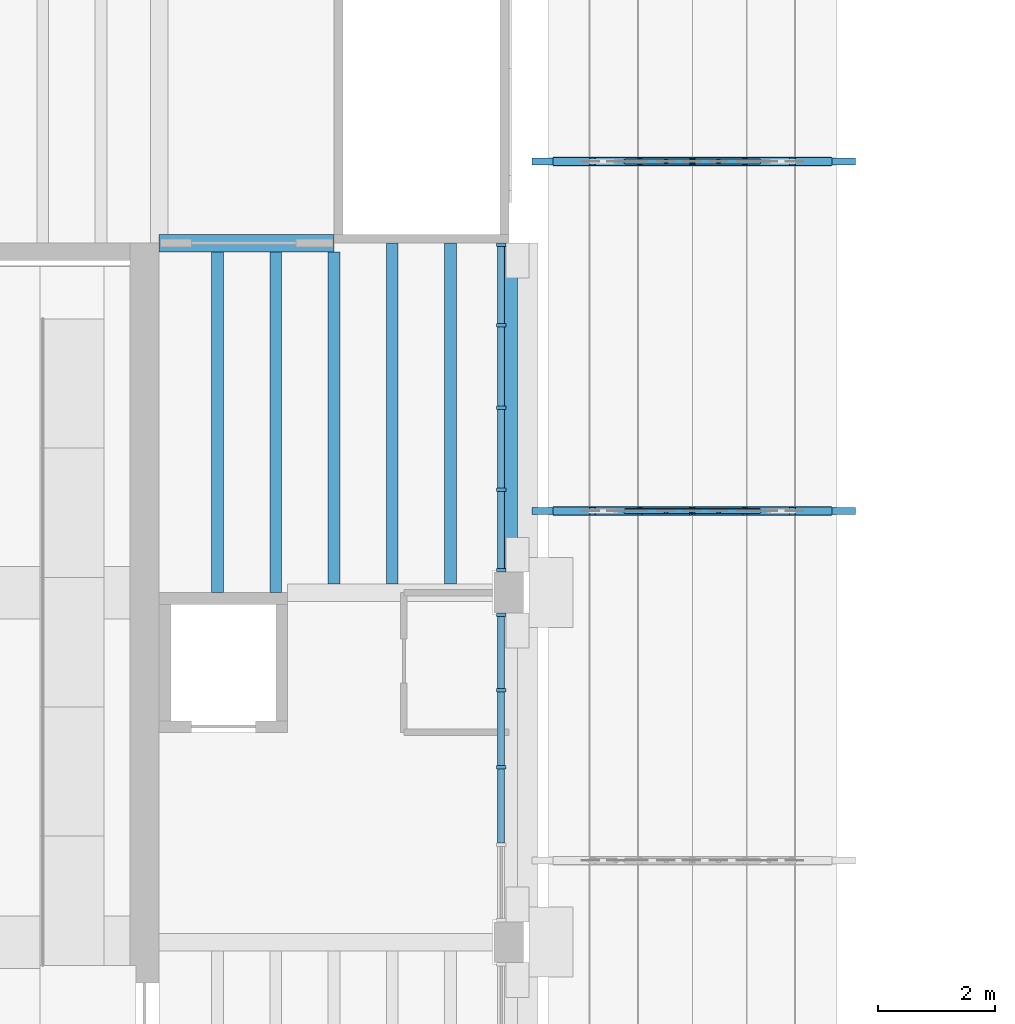
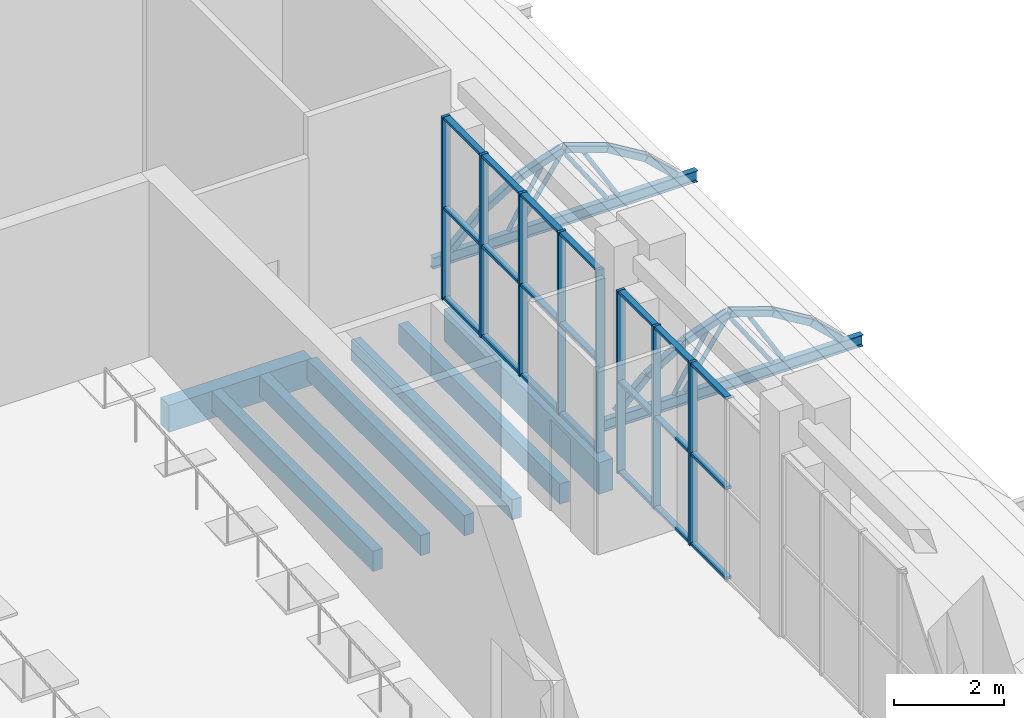
# One storey, part 23 of 80: 37 members, 21 beams, 2 elements without a shape of their own.
"""IFC4 building model written with IfcOpenShell, lengths in metres."""

from ifc_helpers import new_model, si_unit, direction, frame, origin, origin_2d, place, context, subcontext, project, spatial, rectangle, hollow_rectangle, hollow_circle, i_section, extrude, material, material_profile, profile_set, type_object, element, aggregate, save


model = new_model("IFC4")

# Units and contexts
model_context = context("Model", 3, precision=1e-05, world=origin(), true_north=direction((0.0, 1.0)))
body_context = subcontext(model_context, "Body", "Model", "MODEL_VIEW")
ifc_project = project(units=[si_unit("LENGTHUNIT", "METRE"), si_unit("AREAUNIT", "SQUARE_METRE"), si_unit("VOLUMEUNIT", "CUBIC_METRE"), si_unit("PLANEANGLEUNIT", "RADIAN"), si_unit("MASSUNIT", "GRAM", prefix="KILO")], contexts=[model_context])

# Site, building, storey
site_placement = place(None, origin())
site = spatial("IfcSite", under=ifc_project, at=site_placement, CompositionType="ELEMENT")
building_placement = place(site_placement, origin())
building = spatial("IfcBuilding", under=site, at=building_placement, Name="Saffron Lane Theatres", CompositionType="ELEMENT")
storey_placement = place(building_placement, frame((0.0, 0.0, 7.0)))
storey = spatial("IfcBuildingStorey", under=building, at=storey_placement, Name="L01", CompositionType="ELEMENT", Elevation=7.0)

# Curtain wall, members
ifc_material_1 = material(Name="Aluminium", Category="aluminium")
curtain_wall_type_1 = type_object("IfcCurtainWallType", Name="EX-CURTAIN WALL 5650x4050x160", PredefinedType="NOTDEFINED", material=ifc_material_1)
curtain_wall_1_placement = place(storey_placement, origin())
curtain_wall_1 = element("IfcCurtainWall", 1, at=curtain_wall_1_placement, inside=storey, type_object=curtain_wall_type_1, Name="Curtain wall L01 10", PredefinedType="NOTDEFINED")
ifc_material_2 = material(Name="Aluminium", Category="aluminium")
ifc_material_profile_1 = material_profile(ifc_material_2, rectangle(XDim=0.06005859375, YDim=0.159912109375, at=origin_2d()))
ifc_profile_set_1 = profile_set([ifc_material_profile_1], Name="Aluminium")
member_type_1 = type_object("IfcMemberType", Name="EX-CW MULLION 60x160", PredefinedType="MULLION", material=ifc_profile_set_1)
member_1_placement = place(storey_placement, frame((53.8701171875, 89.969970703125, 0.0), z_axis=(0.0, 0.0, 1.0), x_axis=(0.0, -1.0, 0.0)))
member_1 = element("IfcMember", 2, at=member_1_placement, type_object=member_type_1, Name="CW-01-10 mullion 1", PredefinedType="MULLION", context=body_context, shape_type="SweptSolid", body=[
    extrude(rectangle(XDim=0.06005859375, YDim=0.159912109375, at=origin_2d()), origin(), (0.0, 0.0, 1.0), 4.050048828125),
])
member_2_placement = place(storey_placement, frame((53.8701171875, 88.58740234375, 0.0), z_axis=(0.0, 0.0, 1.0), x_axis=(0.0, -1.0, 0.0)))
member_2 = element("IfcMember", 3, at=member_2_placement, type_object=member_type_1, Name="CW-01-10 mullion 2", PredefinedType="MULLION", context=body_context, shape_type="SweptSolid", body=[
    extrude(rectangle(XDim=0.06005859375, YDim=0.159912109375, at=origin_2d()), origin(), (0.0, 0.0, 1.0), 4.050048828125),
])
member_3_placement = place(storey_placement, frame((53.8701171875, 87.175048828125, 0.0), z_axis=(0.0, 0.0, 1.0), x_axis=(0.0, -1.0, 0.0)))
member_3 = element("IfcMember", 4, at=member_3_placement, type_object=member_type_1, Name="CW-01-10 mullion 3", PredefinedType="MULLION", context=body_context, shape_type="SweptSolid", body=[
    extrude(rectangle(XDim=0.06005859375, YDim=0.159912109375, at=origin_2d()), origin(), (0.0, 0.0, 1.0), 4.050048828125),
])
member_4_placement = place(storey_placement, frame((53.8701171875, 85.762451171875, 0.0), z_axis=(0.0, 0.0, 1.0), x_axis=(0.0, -1.0, 0.0)))
member_4 = element("IfcMember", 5, at=member_4_placement, type_object=member_type_1, Name="CW-01-10 mullion 4", PredefinedType="MULLION", context=body_context, shape_type="SweptSolid", body=[
    extrude(rectangle(XDim=0.06005859375, YDim=0.159912109375, at=origin_2d()), origin(), (0.0, 0.0, 1.0), 4.050048828125),
])
member_5_placement = place(storey_placement, frame((53.8701171875, 84.380126953125, 0.0), z_axis=(0.0, 0.0, 1.0), x_axis=(0.0, -1.0, 0.0)))
member_5 = element("IfcMember", 6, at=member_5_placement, type_object=member_type_1, Name="CW-01-10 mullion 5", PredefinedType="MULLION", context=body_context, shape_type="SweptSolid", body=[
    extrude(rectangle(XDim=0.06005859375, YDim=0.159912109375, at=origin_2d()), origin(), (0.0, 0.0, 1.0), 4.050048828125),
])

ifc_material_3 = material(Name="Aluminium", Category="aluminium")
curtain_wall_type_2 = type_object("IfcCurtainWallType", Name="EX-CURTAIN WALL 5300x4050x160", PredefinedType="NOTDEFINED", material=ifc_material_3)
curtain_wall_2_placement = place(storey_placement, origin())
curtain_wall_2 = element("IfcCurtainWall", 7, at=curtain_wall_2_placement, inside=storey, type_object=curtain_wall_type_2, Name="Curtain wall L01 11", PredefinedType="NOTDEFINED")
member_6_placement = place(storey_placement, frame((53.8701171875, 83.619873046875, 0.0), z_axis=(0.0, 0.0, 1.0), x_axis=(0.0, -1.0, 0.0)))
member_6 = element("IfcMember", 8, at=member_6_placement, type_object=member_type_1, Name="CW-01-11 mullion 1", PredefinedType="MULLION", context=body_context, shape_type="SweptSolid", body=[
    extrude(rectangle(XDim=0.06005859375, YDim=0.159912109375, at=origin_2d()), origin(), (0.0, 0.0, 1.0), 4.050048828125),
])
member_7_placement = place(storey_placement, frame((53.8701171875, 82.324951171875, 0.0), z_axis=(0.0, 0.0, 1.0), x_axis=(0.0, -1.0, 0.0)))
member_7 = element("IfcMember", 9, at=member_7_placement, type_object=member_type_1, Name="CW-01-11 mullion 2", PredefinedType="MULLION", context=body_context, shape_type="SweptSolid", body=[
    extrude(rectangle(XDim=0.06005859375, YDim=0.159912109375, at=origin_2d()), origin(), (0.0, 0.0, 1.0), 4.050048828125),
])
member_8_placement = place(storey_placement, frame((53.8701171875, 81.0, 0.0), z_axis=(0.0, 0.0, 1.0), x_axis=(0.0, -1.0, 0.0)))
member_8 = element("IfcMember", 10, at=member_8_placement, type_object=member_type_1, Name="CW-01-11 mullion 3", PredefinedType="MULLION", context=body_context, shape_type="SweptSolid", body=[
    extrude(rectangle(XDim=0.06005859375, YDim=0.159912109375, at=origin_2d()), origin(), (0.0, 0.0, 1.0), 4.050048828125),
])

# Member
ifc_material_4 = material(Name="Aluminium", Category="aluminium")
ifc_material_profile_2 = material_profile(ifc_material_4, rectangle(XDim=0.1201171875, YDim=0.06005859375, at=origin_2d()))
ifc_profile_set_2 = profile_set([ifc_material_profile_2], Name="Aluminium")
member_type_2 = type_object("IfcMemberType", Name="EX-CW TRANSOM 120x60", PredefinedType="USERDEFINED", material=ifc_profile_set_2)
member_9_placement = place(storey_placement, frame((53.8701171875, 89.93994140625, 0.030029296875), z_axis=(0.0, -1.0, 0.0), x_axis=(1.0, 0.0, 0.0)))
member_9 = element("IfcMember", 11, at=member_9_placement, type_object=member_type_2, Name="CW-01-10 transom 1.1", ObjectType="TRANSOM", PredefinedType="USERDEFINED", context=body_context, shape_type="SweptSolid", body=[
    extrude(rectangle(XDim=0.1201171875, YDim=0.06005859375, at=origin_2d()), origin(), (0.0, 0.0, 1.0), 1.322509765625),
])

member_10_placement = place(storey_placement, frame((53.8701171875, 89.93994140625, 2.02490234375), z_axis=(0.0, -1.0, 0.0), x_axis=(1.0, 0.0, 0.0)))
member_10 = element("IfcMember", 12, at=member_10_placement, type_object=member_type_2, Name="CW-01-10 transom 1.2", ObjectType="TRANSOM", PredefinedType="USERDEFINED", context=body_context, shape_type="SweptSolid", body=[
    extrude(rectangle(XDim=0.1201171875, YDim=0.06005859375, at=origin_2d()), origin(), (0.0, 0.0, 1.0), 1.322509765625),
])

member_11_placement = place(storey_placement, frame((53.8701171875, 89.93994140625, 4.02001953125), z_axis=(0.0, -1.0, 0.0), x_axis=(1.0, 0.0, 0.0)))
member_11 = element("IfcMember", 13, at=member_11_placement, type_object=member_type_2, Name="CW-01-10 transom 1.3", ObjectType="TRANSOM", PredefinedType="USERDEFINED", context=body_context, shape_type="SweptSolid", body=[
    extrude(rectangle(XDim=0.1201171875, YDim=0.06005859375, at=origin_2d()), origin(), (0.0, 0.0, 1.0), 1.322509765625),
])

member_12_placement = place(storey_placement, frame((53.8701171875, 88.5576171875, 0.030029296875), z_axis=(0.0, -1.0, 0.0), x_axis=(1.0, 0.0, 0.0)))
member_12 = element("IfcMember", 14, at=member_12_placement, type_object=member_type_2, Name="CW-01-10 transom 2.1", ObjectType="TRANSOM", PredefinedType="USERDEFINED", context=body_context, shape_type="SweptSolid", body=[
    extrude(rectangle(XDim=0.1201171875, YDim=0.06005859375, at=origin_2d()), origin(), (0.0, 0.0, 1.0), 1.3525390625),
])

member_13_placement = place(storey_placement, frame((53.8701171875, 88.5576171875, 2.02490234375), z_axis=(0.0, -1.0, 0.0), x_axis=(1.0, 0.0, 0.0)))
member_13 = element("IfcMember", 15, at=member_13_placement, type_object=member_type_2, Name="CW-01-10 transom 2.2", ObjectType="TRANSOM", PredefinedType="USERDEFINED", context=body_context, shape_type="SweptSolid", body=[
    extrude(rectangle(XDim=0.1201171875, YDim=0.06005859375, at=origin_2d()), origin(), (0.0, 0.0, 1.0), 1.3525390625),
])

member_14_placement = place(storey_placement, frame((53.8701171875, 88.5576171875, 4.02001953125), z_axis=(0.0, -1.0, 0.0), x_axis=(1.0, 0.0, 0.0)))
member_14 = element("IfcMember", 16, at=member_14_placement, type_object=member_type_2, Name="CW-01-10 transom 2.3", ObjectType="TRANSOM", PredefinedType="USERDEFINED", context=body_context, shape_type="SweptSolid", body=[
    extrude(rectangle(XDim=0.1201171875, YDim=0.06005859375, at=origin_2d()), origin(), (0.0, 0.0, 1.0), 1.3525390625),
])

member_15_placement = place(storey_placement, frame((53.8701171875, 87.14501953125, 0.030029296875), z_axis=(0.0, -1.0, 0.0), x_axis=(1.0, 0.0, 0.0)))
member_15 = element("IfcMember", 17, at=member_15_placement, type_object=member_type_2, Name="CW-01-10 transom 3.1", ObjectType="TRANSOM", PredefinedType="USERDEFINED", context=body_context, shape_type="SweptSolid", body=[
    extrude(rectangle(XDim=0.1201171875, YDim=0.06005859375, at=origin_2d()), origin(), (0.0, 0.0, 1.0), 1.3525390625),
])

member_16_placement = place(storey_placement, frame((53.8701171875, 87.14501953125, 2.02490234375), z_axis=(0.0, -1.0, 0.0), x_axis=(1.0, 0.0, 0.0)))
member_16 = element("IfcMember", 18, at=member_16_placement, type_object=member_type_2, Name="CW-01-10 transom 3.2", ObjectType="TRANSOM", PredefinedType="USERDEFINED", context=body_context, shape_type="SweptSolid", body=[
    extrude(rectangle(XDim=0.1201171875, YDim=0.06005859375, at=origin_2d()), origin(), (0.0, 0.0, 1.0), 1.3525390625),
])

member_17_placement = place(storey_placement, frame((53.8701171875, 87.14501953125, 4.02001953125), z_axis=(0.0, -1.0, 0.0), x_axis=(1.0, 0.0, 0.0)))
member_17 = element("IfcMember", 19, at=member_17_placement, type_object=member_type_2, Name="CW-01-10 transom 3.3", ObjectType="TRANSOM", PredefinedType="USERDEFINED", context=body_context, shape_type="SweptSolid", body=[
    extrude(rectangle(XDim=0.1201171875, YDim=0.06005859375, at=origin_2d()), origin(), (0.0, 0.0, 1.0), 1.3525390625),
])

member_18_placement = place(storey_placement, frame((53.8701171875, 85.732666015625, 0.030029296875), z_axis=(0.0, -1.0, 0.0), x_axis=(1.0, 0.0, 0.0)))
member_18 = element("IfcMember", 20, at=member_18_placement, type_object=member_type_2, Name="CW-01-10 transom 4.1", ObjectType="TRANSOM", PredefinedType="USERDEFINED", context=body_context, shape_type="SweptSolid", body=[
    extrude(rectangle(XDim=0.1201171875, YDim=0.06005859375, at=origin_2d()), origin(), (0.0, 0.0, 1.0), 1.322509765625),
])

member_19_placement = place(storey_placement, frame((53.8701171875, 85.732666015625, 2.02490234375), z_axis=(0.0, -1.0, 0.0), x_axis=(1.0, 0.0, 0.0)))
member_19 = element("IfcMember", 21, at=member_19_placement, type_object=member_type_2, Name="CW-01-10 transom 4.2", ObjectType="TRANSOM", PredefinedType="USERDEFINED", context=body_context, shape_type="SweptSolid", body=[
    extrude(rectangle(XDim=0.1201171875, YDim=0.06005859375, at=origin_2d()), origin(), (0.0, 0.0, 1.0), 1.322509765625),
])

member_20_placement = place(storey_placement, frame((53.8701171875, 85.732666015625, 4.02001953125), z_axis=(0.0, -1.0, 0.0), x_axis=(1.0, 0.0, 0.0)))
member_20 = element("IfcMember", 22, at=member_20_placement, type_object=member_type_2, Name="CW-01-10 transom 4.3", ObjectType="TRANSOM", PredefinedType="USERDEFINED", context=body_context, shape_type="SweptSolid", body=[
    extrude(rectangle(XDim=0.1201171875, YDim=0.06005859375, at=origin_2d()), origin(), (0.0, 0.0, 1.0), 1.322509765625),
])

aggregate(curtain_wall_1, [member_1, member_2, member_3, member_4, member_5, member_9, member_10, member_11, member_12, member_13, member_14, member_15, member_16, member_17, member_18, member_19, member_20])

member_21_placement = place(storey_placement, frame((53.8701171875, 83.58984375, 0.030029296875), z_axis=(0.0, -1.0, 0.0), x_axis=(1.0, 0.0, 0.0)))
member_21 = element("IfcMember", 23, at=member_21_placement, type_object=member_type_2, Name="CW-01-11 transom 1.1", ObjectType="TRANSOM", PredefinedType="USERDEFINED", context=body_context, shape_type="SweptSolid", body=[
    extrude(rectangle(XDim=0.1201171875, YDim=0.06005859375, at=origin_2d()), origin(), (0.0, 0.0, 1.0), 1.23486328125),
])

member_22_placement = place(storey_placement, frame((53.8701171875, 83.58984375, 2.02490234375), z_axis=(0.0, -1.0, 0.0), x_axis=(1.0, 0.0, 0.0)))
member_22 = element("IfcMember", 24, at=member_22_placement, type_object=member_type_2, Name="CW-01-11 transom 1.2", ObjectType="TRANSOM", PredefinedType="USERDEFINED", context=body_context, shape_type="SweptSolid", body=[
    extrude(rectangle(XDim=0.1201171875, YDim=0.06005859375, at=origin_2d()), origin(), (0.0, 0.0, 1.0), 1.23486328125),
])

member_23_placement = place(storey_placement, frame((53.8701171875, 83.58984375, 4.02001953125), z_axis=(0.0, -1.0, 0.0), x_axis=(1.0, 0.0, 0.0)))
member_23 = element("IfcMember", 25, at=member_23_placement, type_object=member_type_2, Name="CW-01-11 transom 1.3", ObjectType="TRANSOM", PredefinedType="USERDEFINED", context=body_context, shape_type="SweptSolid", body=[
    extrude(rectangle(XDim=0.1201171875, YDim=0.06005859375, at=origin_2d()), origin(), (0.0, 0.0, 1.0), 1.23486328125),
])

member_24_placement = place(storey_placement, frame((53.8701171875, 82.294921875, 0.030029296875), z_axis=(0.0, -1.0, 0.0), x_axis=(1.0, 0.0, 0.0)))
member_24 = element("IfcMember", 26, at=member_24_placement, type_object=member_type_2, Name="CW-01-11 transom 2.1", ObjectType="TRANSOM", PredefinedType="USERDEFINED", context=body_context, shape_type="SweptSolid", body=[
    extrude(rectangle(XDim=0.1201171875, YDim=0.06005859375, at=origin_2d()), origin(), (0.0, 0.0, 1.0), 1.264892578125),
])

member_25_placement = place(storey_placement, frame((53.8701171875, 82.294921875, 2.02490234375), z_axis=(0.0, -1.0, 0.0), x_axis=(1.0, 0.0, 0.0)))
member_25 = element("IfcMember", 27, at=member_25_placement, type_object=member_type_2, Name="CW-01-11 transom 2.2", ObjectType="TRANSOM", PredefinedType="USERDEFINED", context=body_context, shape_type="SweptSolid", body=[
    extrude(rectangle(XDim=0.1201171875, YDim=0.06005859375, at=origin_2d()), origin(), (0.0, 0.0, 1.0), 1.264892578125),
])

member_26_placement = place(storey_placement, frame((53.8701171875, 82.294921875, 4.02001953125), z_axis=(0.0, -1.0, 0.0), x_axis=(1.0, 0.0, 0.0)))
member_26 = element("IfcMember", 28, at=member_26_placement, type_object=member_type_2, Name="CW-01-11 transom 2.3", ObjectType="TRANSOM", PredefinedType="USERDEFINED", context=body_context, shape_type="SweptSolid", body=[
    extrude(rectangle(XDim=0.1201171875, YDim=0.06005859375, at=origin_2d()), origin(), (0.0, 0.0, 1.0), 1.264892578125),
])

member_27_placement = place(storey_placement, frame((53.8701171875, 80.969970703125, 0.030029296875), z_axis=(0.0, -1.0, 0.0), x_axis=(1.0, 0.0, 0.0)))
member_27 = element("IfcMember", 29, at=member_27_placement, type_object=member_type_2, Name="CW-01-11 transom 3.1", ObjectType="TRANSOM", PredefinedType="USERDEFINED", context=body_context, shape_type="SweptSolid", body=[
    extrude(rectangle(XDim=0.1201171875, YDim=0.06005859375, at=origin_2d()), origin(), (0.0, 0.0, 1.0), 1.264892578125),
])

member_28_placement = place(storey_placement, frame((53.8701171875, 80.969970703125, 2.02490234375), z_axis=(0.0, -1.0, 0.0), x_axis=(1.0, 0.0, 0.0)))
member_28 = element("IfcMember", 30, at=member_28_placement, type_object=member_type_2, Name="CW-01-11 transom 3.2", ObjectType="TRANSOM", PredefinedType="USERDEFINED", context=body_context, shape_type="SweptSolid", body=[
    extrude(rectangle(XDim=0.1201171875, YDim=0.06005859375, at=origin_2d()), origin(), (0.0, 0.0, 1.0), 1.264892578125),
])

member_29_placement = place(storey_placement, frame((53.8701171875, 80.969970703125, 4.02001953125), z_axis=(0.0, -1.0, 0.0), x_axis=(1.0, 0.0, 0.0)))
member_29 = element("IfcMember", 31, at=member_29_placement, type_object=member_type_2, Name="CW-01-11 transom 3.3", ObjectType="TRANSOM", PredefinedType="USERDEFINED", context=body_context, shape_type="SweptSolid", body=[
    extrude(rectangle(XDim=0.1201171875, YDim=0.06005859375, at=origin_2d()), origin(), (0.0, 0.0, 1.0), 1.264892578125),
])

aggregate(curtain_wall_2, [member_6, member_7, member_8, member_21, member_22, member_23, member_24, member_25, member_26, member_27, member_28, member_29])

# Beams
ifc_material_5 = material(Name="Concrete N40 (40 MPa)", Category="concrete")
ifc_material_profile_3 = material_profile(ifc_material_5, rectangle(XDim=0.300048828125, YDim=0.60009765625, at=origin_2d()))
ifc_profile_set_3 = profile_set([ifc_material_profile_3], Name="Concrete N40 (40 MPa)")
beam_type_1 = type_object("IfcBeamType", Name="RC-BEAM 300x600", PredefinedType="BEAM", material=ifc_profile_set_3)
beam_1_placement = place(storey_placement, frame((48.0, 90.0, -0.550048828125), z_axis=(1.0, 0.0, 0.0), x_axis=(0.0, 1.0, 0.0)))
element("IfcBeam", 32, at=beam_1_placement, inside=storey, type_object=beam_type_1, Name="beam-L01-x900-480", PredefinedType="BEAM", context=body_context, shape_type="SweptSolid", body=[
    extrude(rectangle(XDim=0.300048828125, YDim=0.60009765625, at=origin_2d()), origin(), (0.0, 0.0, 1.0), 3.0),
])
ifc_material_6 = material(Name="Concrete N40 (40 MPa)", Category="concrete")
ifc_material_profile_4 = material_profile(ifc_material_6, rectangle(XDim=0.300048828125, YDim=0.699951171875, at=origin_2d()))
ifc_profile_set_4 = profile_set([ifc_material_profile_4], Name="Concrete N40 (40 MPa)")
beam_type_2 = type_object("IfcBeamType", Name="RC-BEAM 300x700", PredefinedType="BEAM", material=ifc_profile_set_4)
beam_2_placement = place(storey_placement, frame((54.0, 84.375, -0.60009765625), z_axis=(0.0, 1.0, 0.0), x_axis=(-1.0, 0.0, 0.0)))
element("IfcBeam", 33, at=beam_2_placement, inside=storey, type_object=beam_type_2, Name="beam-L01-y540-844", PredefinedType="BEAM", context=body_context, shape_type="SweptSolid", body=[
    extrude(rectangle(XDim=0.300048828125, YDim=0.699951171875, at=origin_2d()), origin(), (0.0, 0.0, 1.0), 5.625),
])
ifc_material_7 = material(Name="Concrete N40 (40 MPa)", Category="concrete")
ifc_material_profile_5 = material_profile(ifc_material_7, rectangle(XDim=0.199951171875, YDim=0.449951171875, at=origin_2d()))
ifc_profile_set_5 = profile_set([ifc_material_profile_5], Name="Concrete N40 (40 MPa)")
beam_type_3 = type_object("IfcBeamType", Name="RC-JOIST 200x450", PredefinedType="JOIST", material=ifc_profile_set_5)
for number, where, z_axis, x_axis, name in (
    (34, (49.0, 84.0, -0.47509765625), (0.0, 1.0, 0.0), (-1.0, 0.0, 0.0), "joist-L01-y4900-840"),
    (35, (50.0, 84.0, -0.47509765625), (0.0, 1.0, 0.0), (-1.0, 0.0, 0.0), "joist-L01-y5000-840"),
):
    element("IfcBeam", number, at=place(storey_placement, frame(where, z_axis=z_axis, x_axis=x_axis)), inside=storey, type_object=beam_type_3, Name=name, PredefinedType="JOIST", context=body_context, shape_type="SweptSolid", body=[
        extrude(rectangle(XDim=0.199951171875, YDim=0.449951171875, at=origin_2d()), origin(), (0.0, 0.0, 1.0), 5.85009765625),
    ])
beam_3_placement = place(storey_placement, frame((51.0, 84.14990234375, -0.47509765625), z_axis=(0.0, 1.0, 0.0), x_axis=(-1.0, 0.0, 0.0)))
element("IfcBeam", 36, at=beam_3_placement, inside=storey, type_object=beam_type_3, Name="joist-L01-y5100-842", PredefinedType="JOIST", context=body_context, shape_type="SweptSolid", body=[
    extrude(rectangle(XDim=0.199951171875, YDim=0.449951171875, at=origin_2d()), origin(), (0.0, 0.0, 1.0), 5.7001953125),
])
for number, where, z_axis, x_axis, name in (
    (37, (52.0, 84.14990234375, -0.47509765625), (0.0, 1.0, 0.0), (-1.0, 0.0, 0.0), "joist-L01-y5200-842"),
    (38, (53.0, 84.14990234375, -0.47509765625), (0.0, 1.0, 0.0), (-1.0, 0.0, 0.0), "joist-L01-y5300-842"),
):
    element("IfcBeam", number, at=place(storey_placement, frame(where, z_axis=z_axis, x_axis=x_axis)), inside=storey, type_object=beam_type_3, Name=name, PredefinedType="JOIST", context=body_context, shape_type="SweptSolid", body=[
        extrude(rectangle(XDim=0.199951171875, YDim=0.449951171875, at=origin_2d()), origin(), (0.0, 0.0, 1.0), 5.85009765625),
    ])
ifc_material_8 = material(Name="Steel Grade 350", Category="steel")
ifc_material_profile_6 = material_profile(ifc_material_8, i_section(OverallWidth=0.1240234375, OverallDepth=0.248046875, WebThickness=0.0048828125, FlangeThickness=0.008056640625, FilletRadius=0.011962890625, at=origin_2d()))
ifc_profile_set_6 = profile_set([ifc_material_profile_6], Name="Steel Grade 350")
beam_type_4 = type_object("IfcBeamType", Name="ST-CANOPY BEAM 250UB25.7", PredefinedType="BEAM", material=ifc_profile_set_6)
for number, where, z_axis, x_axis, name in (
    (39, (54.39990234375, 85.39990234375, -0.25390625), (1.0, 0.0, 0.0), (0.0, 1.0, 0.0), "CB10"),
    (40, (54.39990234375, 91.39990234375, -0.25390625), (1.0, 0.0, 0.0), (0.0, 1.0, 0.0), "CB11"),
):
    element("IfcBeam", number, at=place(storey_placement, frame(where, z_axis=z_axis, x_axis=x_axis)), inside=storey, type_object=beam_type_4, Name=name, PredefinedType="BEAM", context=body_context, shape_type="SweptSolid", body=[
        extrude(i_section(OverallWidth=0.1240234375, OverallDepth=0.248046875, WebThickness=0.0048828125, FlangeThickness=0.008056640625, FilletRadius=0.011962890625, at=origin_2d()), origin(), (0.0, 0.0, 1.0), 5.550048828125),
    ])
ifc_material_9 = material(Name="Steel Grade 350", Category="steel")
ifc_material_profile_7 = material_profile(ifc_material_9, hollow_rectangle(XDim=0.14990234375, YDim=0.14990234375, WallThickness=0.009033203125, InnerFilletRadius=0.00439453125, OuterFilletRadius=0.013427734375, at=origin_2d()))
ifc_profile_set_7 = profile_set([ifc_material_profile_7], Name="Steel Grade 350")
beam_type_5 = type_object("IfcBeamType", Name="ST-PORTAL RIB 150x150x9 SHS", PredefinedType="USERDEFINED", material=ifc_profile_set_7)
beam_4_placement = place(storey_placement, frame((54.807861328125, 85.39990234375, -0.075439453125), z_axis=(0.727908671932, 0.0, 0.685674095563), x_axis=(0.0, 1.0, 0.0)))
element("IfcBeam", 41, at=beam_4_placement, inside=storey, type_object=beam_type_5, Name="PR10A", ObjectType="PORTAL RIB", PredefinedType="USERDEFINED", context=body_context, shape_type="SweptSolid", body=[
    extrude(hollow_rectangle(XDim=0.14990234375, YDim=0.14990234375, WallThickness=0.009033203125, InnerFilletRadius=0.00439453125, OuterFilletRadius=0.013427734375, at=origin_2d()), origin(), (0.0, 0.0, 1.0), 0.861328125),
])
beam_5_placement = place(storey_placement, frame((55.447509765625, 85.39990234375, 0.52490234375), z_axis=(0.85587209681, 0.0, 0.517187542292), x_axis=(0.0, 1.0, 0.0)))
element("IfcBeam", 42, at=beam_5_placement, inside=storey, type_object=beam_type_5, Name="PR10B", ObjectType="PORTAL RIB", PredefinedType="USERDEFINED", context=body_context, shape_type="SweptSolid", body=[
    extrude(hollow_rectangle(XDim=0.14990234375, YDim=0.14990234375, WallThickness=0.009033203125, InnerFilletRadius=0.00439453125, OuterFilletRadius=0.013427734375, at=origin_2d()), origin(), (0.0, 0.0, 1.0), 0.932861328125),
])
beam_6_placement = place(storey_placement, frame((56.26025390625, 85.39990234375, 1.013916015625), z_axis=(0.945625061325, 0.0, 0.325258733001), x_axis=(0.0, 1.0, 0.0)))
element("IfcBeam", 43, at=beam_6_placement, inside=storey, type_object=beam_type_5, Name="PR10C", ObjectType="PORTAL RIB", PredefinedType="USERDEFINED", context=body_context, shape_type="SweptSolid", body=[
    extrude(hollow_rectangle(XDim=0.14990234375, YDim=0.14990234375, WallThickness=0.009033203125, InnerFilletRadius=0.00439453125, OuterFilletRadius=0.013427734375, at=origin_2d()), origin(), (0.0, 0.0, 1.0), 0.9150390625),
])
beam_7_placement = place(storey_placement, frame((57.17431640625, 85.39990234375, 1.3115234375), z_axis=(0.945653278846, 0.0, -0.325176684602), x_axis=(0.0, 1.0, 0.0)))
element("IfcBeam", 44, at=beam_7_placement, inside=storey, type_object=beam_type_5, Name="PR10D", ObjectType="PORTAL RIB", PredefinedType="USERDEFINED", context=body_context, shape_type="SweptSolid", body=[
    extrude(hollow_rectangle(XDim=0.14990234375, YDim=0.14990234375, WallThickness=0.009033203125, InnerFilletRadius=0.00439453125, OuterFilletRadius=0.013427734375, at=origin_2d()), origin(), (0.0, 0.0, 1.0), 0.915283203125),
])
beam_8_placement = place(storey_placement, frame((58.05419921875, 85.39990234375, 1.00732421875), z_axis=(0.85587209681, 0.0, -0.517187542292), x_axis=(0.0, 1.0, 0.0)))
element("IfcBeam", 45, at=beam_8_placement, inside=storey, type_object=beam_type_5, Name="PR10E", ObjectType="PORTAL RIB", PredefinedType="USERDEFINED", context=body_context, shape_type="SweptSolid", body=[
    extrude(hollow_rectangle(XDim=0.14990234375, YDim=0.14990234375, WallThickness=0.009033203125, InnerFilletRadius=0.00439453125, OuterFilletRadius=0.013427734375, at=origin_2d()), origin(), (0.0, 0.0, 1.0), 0.932861328125),
])
for number, where, z_axis, x_axis, name in (
    (46, (58.865234375, 85.39990234375, 0.51513671875), (0.727908671932, 0.0, -0.685674095563), (0.0, 1.0, 0.0), "PR10F"),
    (47, (54.807861328125, 91.39990234375, -0.075439453125), (0.727908671932, 0.0, 0.685674095563), (0.0, 1.0, 0.0), "PR11A"),
):
    element("IfcBeam", number, at=place(storey_placement, frame(where, z_axis=z_axis, x_axis=x_axis)), inside=storey, type_object=beam_type_5, Name=name, ObjectType="PORTAL RIB", PredefinedType="USERDEFINED", context=body_context, shape_type="SweptSolid", body=[
        extrude(hollow_rectangle(XDim=0.14990234375, YDim=0.14990234375, WallThickness=0.009033203125, InnerFilletRadius=0.00439453125, OuterFilletRadius=0.013427734375, at=origin_2d()), origin(), (0.0, 0.0, 1.0), 0.861328125),
    ])
beam_9_placement = place(storey_placement, frame((55.447509765625, 91.39990234375, 0.52490234375), z_axis=(0.85587209681, 0.0, 0.517187542292), x_axis=(0.0, 1.0, 0.0)))
element("IfcBeam", 48, at=beam_9_placement, inside=storey, type_object=beam_type_5, Name="PR11B", ObjectType="PORTAL RIB", PredefinedType="USERDEFINED", context=body_context, shape_type="SweptSolid", body=[
    extrude(hollow_rectangle(XDim=0.14990234375, YDim=0.14990234375, WallThickness=0.009033203125, InnerFilletRadius=0.00439453125, OuterFilletRadius=0.013427734375, at=origin_2d()), origin(), (0.0, 0.0, 1.0), 0.932861328125),
])
beam_10_placement = place(storey_placement, frame((56.26025390625, 91.39990234375, 1.013916015625), z_axis=(0.945625061325, 0.0, 0.325258733001), x_axis=(0.0, 1.0, 0.0)))
element("IfcBeam", 49, at=beam_10_placement, inside=storey, type_object=beam_type_5, Name="PR11C", ObjectType="PORTAL RIB", PredefinedType="USERDEFINED", context=body_context, shape_type="SweptSolid", body=[
    extrude(hollow_rectangle(XDim=0.14990234375, YDim=0.14990234375, WallThickness=0.009033203125, InnerFilletRadius=0.00439453125, OuterFilletRadius=0.013427734375, at=origin_2d()), origin(), (0.0, 0.0, 1.0), 0.9150390625),
])
beam_11_placement = place(storey_placement, frame((57.17431640625, 91.39990234375, 1.3115234375), z_axis=(0.945653278846, 0.0, -0.325176684602), x_axis=(0.0, 1.0, 0.0)))
element("IfcBeam", 50, at=beam_11_placement, inside=storey, type_object=beam_type_5, Name="PR11D", ObjectType="PORTAL RIB", PredefinedType="USERDEFINED", context=body_context, shape_type="SweptSolid", body=[
    extrude(hollow_rectangle(XDim=0.14990234375, YDim=0.14990234375, WallThickness=0.009033203125, InnerFilletRadius=0.00439453125, OuterFilletRadius=0.013427734375, at=origin_2d()), origin(), (0.0, 0.0, 1.0), 0.915283203125),
])
beam_12_placement = place(storey_placement, frame((58.05419921875, 91.39990234375, 1.00732421875), z_axis=(0.85587209681, 0.0, -0.517187542292), x_axis=(0.0, 1.0, 0.0)))
element("IfcBeam", 51, at=beam_12_placement, inside=storey, type_object=beam_type_5, Name="PR11E", ObjectType="PORTAL RIB", PredefinedType="USERDEFINED", context=body_context, shape_type="SweptSolid", body=[
    extrude(hollow_rectangle(XDim=0.14990234375, YDim=0.14990234375, WallThickness=0.009033203125, InnerFilletRadius=0.00439453125, OuterFilletRadius=0.013427734375, at=origin_2d()), origin(), (0.0, 0.0, 1.0), 0.932861328125),
])
beam_13_placement = place(storey_placement, frame((58.865234375, 91.39990234375, 0.51513671875), z_axis=(0.727908671932, 0.0, -0.685674095563), x_axis=(0.0, 1.0, 0.0)))
element("IfcBeam", 52, at=beam_13_placement, inside=storey, type_object=beam_type_5, Name="PR11F", ObjectType="PORTAL RIB", PredefinedType="USERDEFINED", context=body_context, shape_type="SweptSolid", body=[
    extrude(hollow_rectangle(XDim=0.14990234375, YDim=0.14990234375, WallThickness=0.009033203125, InnerFilletRadius=0.00439453125, OuterFilletRadius=0.013427734375, at=origin_2d()), origin(), (0.0, 0.0, 1.0), 0.861328125),
])

# Members
ifc_material_10 = material(Name="Steel Grade 350", Category="steel")
ifc_material_profile_8 = material_profile(ifc_material_10, hollow_circle(Radius=0.04443359375, WallThickness=0.005859375, at=origin_2d()))
ifc_profile_set_8 = profile_set([ifc_material_profile_8], Name="Steel Grade 350")
member_type_3 = type_object("IfcMemberType", Name="ST-VAULT BRACE 88.9x5.9 CHS", PredefinedType="BRACE", material=ifc_profile_set_8)
member_30_placement = place(storey_placement, frame((56.009033203125, 85.39990234375, -0.107177734375), z_axis=(0.512121126852, 0.0, 0.858913238594), x_axis=(0.0, 1.0, 0.0)))
element("IfcMember", 53, at=member_30_placement, inside=storey, type_object=member_type_3, Name="PS10-2", PredefinedType="BRACE", context=body_context, shape_type="SweptSolid", body=[
    extrude(hollow_circle(Radius=0.04443359375, WallThickness=0.005859375, at=origin_2d()), origin(), (0.0, 0.0, 1.0), 1.3466796875),
])
member_31_placement = place(storey_placement, frame((58.291015625, 85.39990234375, -0.107177734375), z_axis=(-0.512254845616, 0.0, 0.858833495587), x_axis=(0.0, -1.0, 0.0)))
element("IfcMember", 54, at=member_31_placement, inside=storey, type_object=member_type_3, Name="PS10-3", PredefinedType="BRACE", context=body_context, shape_type="SweptSolid", body=[
    extrude(hollow_circle(Radius=0.04443359375, WallThickness=0.005859375, at=origin_2d()), origin(), (0.0, 0.0, 1.0), 1.346923828125),
])
member_32_placement = place(storey_placement, frame((56.009033203125, 91.39990234375, -0.107177734375), z_axis=(0.512121126852, 0.0, 0.858913238594), x_axis=(0.0, 1.0, 0.0)))
element("IfcMember", 55, at=member_32_placement, inside=storey, type_object=member_type_3, Name="PS11-2", PredefinedType="BRACE", context=body_context, shape_type="SweptSolid", body=[
    extrude(hollow_circle(Radius=0.04443359375, WallThickness=0.005859375, at=origin_2d()), origin(), (0.0, 0.0, 1.0), 1.3466796875),
])
member_33_placement = place(storey_placement, frame((58.291015625, 91.39990234375, -0.107177734375), z_axis=(-0.512254845616, 0.0, 0.858833495587), x_axis=(0.0, -1.0, 0.0)))
element("IfcMember", 56, at=member_33_placement, inside=storey, type_object=member_type_3, Name="PS11-3", PredefinedType="BRACE", context=body_context, shape_type="SweptSolid", body=[
    extrude(hollow_circle(Radius=0.04443359375, WallThickness=0.005859375, at=origin_2d()), origin(), (0.0, 0.0, 1.0), 1.346923828125),
])
member_34_placement = place(storey_placement, frame((56.234619140625, 85.39990234375, -0.10498046875), z_axis=(0.561229138004, 0.0, 0.827660470637), x_axis=(0.0, 1.0, 0.0)))
element("IfcMember", 57, at=member_34_placement, inside=storey, type_object=member_type_3, Name="PA10-1", PredefinedType="BRACE", context=body_context, shape_type="SweptSolid", body=[
    extrude(hollow_circle(Radius=0.04443359375, WallThickness=0.005859375, at=origin_2d()), origin(), (0.0, 0.0, 1.0), 1.600830078125),
])
member_35_placement = place(storey_placement, frame((58.065185546875, 85.39990234375, -0.10498046875), z_axis=(-0.561124653333, 0.0, 0.827731311128), x_axis=(0.0, -1.0, 0.0)))
element("IfcMember", 58, at=member_35_placement, inside=storey, type_object=member_type_3, Name="PA10-2", PredefinedType="BRACE", context=body_context, shape_type="SweptSolid", body=[
    extrude(hollow_circle(Radius=0.04443359375, WallThickness=0.005859375, at=origin_2d()), origin(), (0.0, 0.0, 1.0), 1.6005859375),
])
member_36_placement = place(storey_placement, frame((56.234619140625, 91.39990234375, -0.10498046875), z_axis=(0.561229138004, 0.0, 0.827660470637), x_axis=(0.0, 1.0, 0.0)))
element("IfcMember", 59, at=member_36_placement, inside=storey, type_object=member_type_3, Name="PA11-1", PredefinedType="BRACE", context=body_context, shape_type="SweptSolid", body=[
    extrude(hollow_circle(Radius=0.04443359375, WallThickness=0.005859375, at=origin_2d()), origin(), (0.0, 0.0, 1.0), 1.600830078125),
])
member_37_placement = place(storey_placement, frame((58.065185546875, 91.39990234375, -0.10498046875), z_axis=(-0.561124653333, 0.0, 0.827731311128), x_axis=(0.0, -1.0, 0.0)))
element("IfcMember", 60, at=member_37_placement, inside=storey, type_object=member_type_3, Name="PA11-2", PredefinedType="BRACE", context=body_context, shape_type="SweptSolid", body=[
    extrude(hollow_circle(Radius=0.04443359375, WallThickness=0.005859375, at=origin_2d()), origin(), (0.0, 0.0, 1.0), 1.6005859375),
])

save(model, "model.ifc")
